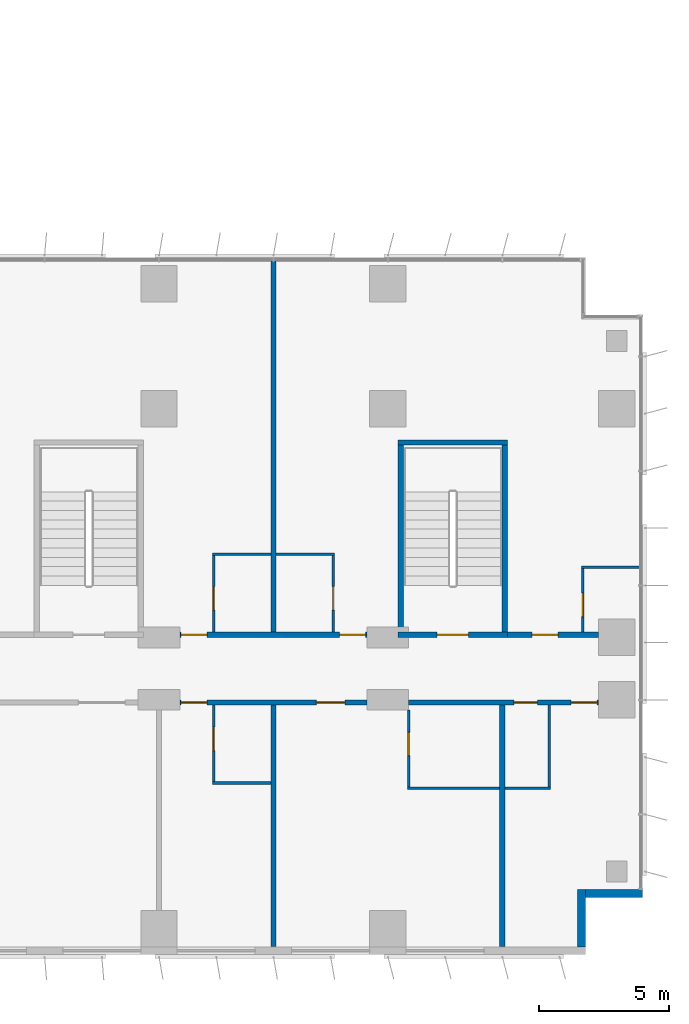
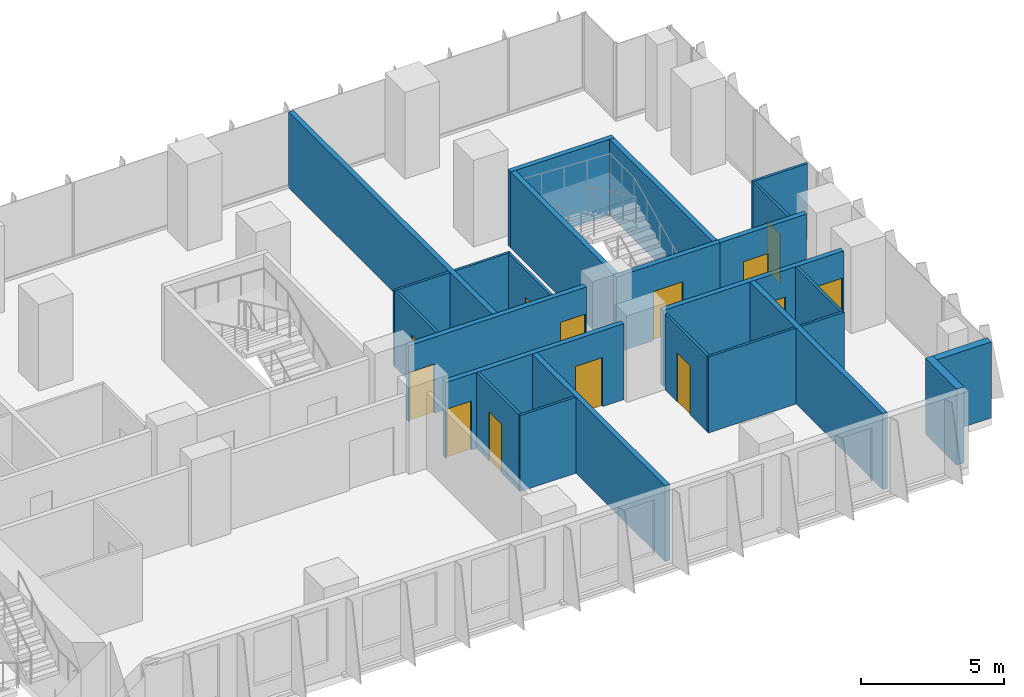
# One storey, part 17 of 23: 25 walls, 13 doors, 13 openings.
"""IFC4 building model written with IfcOpenShell, lengths in metres."""

from ifc_helpers import new_model, si_unit, direction, frame, frame_2d, origin, place, context, subcontext, project, spatial, rectangle, extrude, material, layer, layer_set, type_object, element, fill, save


model = new_model("IFC4")

# Units and contexts
model_context = context("Model", 3, precision=1e-05, world=origin(), true_north=direction((0.0, 1.0)))
body_context = subcontext(model_context, "Body", "Model", "MODEL_VIEW")
ifc_project = project(units=[si_unit("LENGTHUNIT", "METRE"), si_unit("AREAUNIT", "SQUARE_METRE"), si_unit("VOLUMEUNIT", "CUBIC_METRE"), si_unit("PLANEANGLEUNIT", "RADIAN"), si_unit("MASSUNIT", "GRAM", prefix="KILO")], contexts=[model_context])

# Site, building, storey
site_placement = place(None, origin())
site = spatial("IfcSite", under=ifc_project, at=site_placement, CompositionType="ELEMENT")
building_placement = place(site_placement, origin())
building = spatial("IfcBuilding", under=site, at=building_placement, Name="Kemantara Hotel Tower", CompositionType="ELEMENT")
storey_placement = place(building_placement, frame((0.0, 0.0, 67.300048828125)))
storey = spatial("IfcBuildingStorey", under=building, at=storey_placement, Name="L15", CompositionType="ELEMENT", Elevation=67.300048828125)

# Walls
ifc_material_1 = material(Name="Bronze anodised aluminium cladding on insulated steel stud wall", Category="steel")
ifc_layer_1 = layer(ifc_material_1, 0.300048828125)
ifc_layer_set_1 = layer_set([ifc_layer_1], Name="Bronze anodised aluminium cladding on insulated steel stud wall")
wall_type_1 = type_object("IfcWallType", Name="BRONZE METAL-CLAD EXTERNAL WALL 300", PredefinedType="STANDARD", material=ifc_layer_set_1)
for number, where, z_axis, x_axis, name in (
    (1, (78.85009765625, 0.300048828125, 0.0), (0.0, 0.0, 1.0), (0.0, 1.0, 0.0), "EXTERNAL WALL L15 T1-R02"),
    (2, (79.0, 2.35009765625, 0.0), (0.0, 0.0, 1.0), (1.0, 0.0, 0.0), "EXTERNAL WALL L15 T1-R03"),
):
    element("IfcWall", number, at=place(storey_placement, frame(where, z_axis=z_axis, x_axis=x_axis)), inside=storey, type_object=wall_type_1, Name=name, PredefinedType="STANDARD", context=body_context, shape_type="SweptSolid", body=[
        extrude(rectangle(XDim=2.199951171875, YDim=0.300048828125, at=frame_2d((1.10009765625, 0.0))), origin(), (0.0, 0.0, 1.0), 3.25),
    ])

# Wall, openings, doors
ifc_material_2 = material(Name="Gypsum board partition, steel studs and mineral wool, 200 mm", Category="steel")
ifc_layer_2 = layer(ifc_material_2, 0.199951171875)
ifc_layer_set_2 = layer_set([ifc_layer_2], Name="Gypsum board partition, steel studs and mineral wool, 200 mm")
wall_type_2 = type_object("IfcWallType", Name="CORRIDOR WALL 200", PredefinedType="PARTITIONING", material=ifc_layer_set_2)
wall_1_placement = place(storey_placement, frame((70.599853515625, 9.699951171875, 0.0), z_axis=(0.0, 0.0, 1.0), x_axis=(-1.0, 0.0, 0.0)))
wall_1 = element("IfcWall", 3, at=wall_1_placement, inside=storey, type_object=wall_type_2, Name="CORRIDOR WALL 200 003", PredefinedType="PARTITIONING", context=body_context, shape_type="SweptSolid", body=[
    extrude(rectangle(XDim=7.19970703125, YDim=0.199951171875, at=frame_2d((3.599853515625, 0.0))), origin(), (0.0, 0.0, 1.0), 3.25),
])
opening_1_placement = place(wall_1_placement, frame((6.14990234375, 0.0, 0.0)))
opening_1 = element("IfcOpeningElement", 4, at=opening_1_placement, cuts=wall_1, Name="Opening F05-003", PredefinedType="OPENING", context=body_context, shape_type="SweptSolid", body=[
    extrude(rectangle(XDim=1.0, YDim=2.10009765625, at=frame_2d((0.5, 1.050048828125))), frame((0.0, 0.10986328125, 0.0), z_axis=(0.0, -1.0, 0.0), x_axis=(1.0, 0.0, 0.0)), (0.0, 0.0, 1.0), 0.219970703125),
])
opening_2_placement = place(wall_1_placement, frame((0.849853515625, 0.0, 0.0)))
opening_2 = element("IfcOpeningElement", 5, at=opening_2_placement, cuts=wall_1, Name="Opening F05-005", PredefinedType="OPENING", context=body_context, shape_type="SweptSolid", body=[
    extrude(rectangle(XDim=1.10009765625, YDim=2.10009765625, at=frame_2d((0.550048828125, 1.050048828125))), frame((0.0, 0.10986328125, 0.0), z_axis=(0.0, -1.0, 0.0), x_axis=(1.0, 0.0, 0.0)), (0.0, 0.0, 1.0), 0.219970703125),
])
ifc_material_3 = material(Name="Hardwood veneer door leaf with steel frame", Category="steel")
door_type_1 = type_object("IfcDoorType", Name="GUEST ROOM DOOR 1000 X 2100 FD30S", OperationType="NOTDEFINED", PredefinedType="DOOR", material=ifc_material_3)
door_1_placement = place(opening_1_placement, origin())
door_1 = element("IfcDoor", 6, at=door_1_placement, inside=storey, type_object=door_type_1, Name="GUEST ROOM DOOR F05-003", OperationType="SINGLE_SWING_RIGHT", OverallHeight=2.10009765625, OverallWidth=1.0, PredefinedType="DOOR", context=body_context, shape_type="SweptSolid", body=[
    extrude(rectangle(XDim=1.0, YDim=2.10009765625, at=frame_2d((0.5, 1.050048828125))), frame((0.0, 0.02490234375, 0.0), z_axis=(0.0, -1.0, 0.0), x_axis=(1.0, 0.0, 0.0)), (0.0, 0.0, 1.0), 0.050048828125),
])
fill(opening_1, door_1)
door_type_2 = type_object("IfcDoorType", Name="SUITE ENTRANCE DOOR 1100 X 2100 FD30S", OperationType="NOTDEFINED", PredefinedType="DOOR", material=ifc_material_3)
door_2_placement = place(opening_2_placement, origin())
door_2 = element("IfcDoor", 7, at=door_2_placement, inside=storey, type_object=door_type_2, Name="SUITE ENTRANCE DOOR F05-005", OperationType="SINGLE_SWING_RIGHT", OverallHeight=2.10009765625, OverallWidth=1.10009765625, PredefinedType="DOOR", context=body_context, shape_type="SweptSolid", body=[
    extrude(rectangle(XDim=1.10009765625, YDim=2.10009765625, at=frame_2d((0.550048828125, 1.050048828125))), frame((0.0, 0.02490234375, 0.0), z_axis=(0.0, -1.0, 0.0), x_axis=(1.0, 0.0, 0.0)), (0.0, 0.0, 1.0), 0.050048828125),
])
fill(opening_2, door_2)

wall_2_placement = place(storey_placement, frame((79.5, 9.699951171875, 0.0), z_axis=(0.0, 0.0, 1.0), x_axis=(-1.0, 0.0, 0.0)))
wall_2 = element("IfcWall", 8, at=wall_2_placement, inside=storey, type_object=wall_type_2, Name="CORRIDOR WALL 200 004", PredefinedType="PARTITIONING", context=body_context, shape_type="SweptSolid", body=[
    extrude(rectangle(XDim=7.2998046875, YDim=0.199951171875, at=frame_2d((3.64990234375, 0.0))), origin(), (0.0, 0.0, 1.0), 3.25),
])
opening_3_placement = place(wall_2_placement, frame((0.0498046875, 0.0, 0.0)))
opening_3 = element("IfcOpeningElement", 9, at=opening_3_placement, cuts=wall_2, Name="Opening F05-007", PredefinedType="OPENING", context=body_context, shape_type="SweptSolid", body=[
    extrude(rectangle(XDim=1.0, YDim=2.10009765625, at=frame_2d((0.5, 1.050048828125))), frame((0.0, 0.10986328125, 0.0), z_axis=(0.0, -1.0, 0.0), x_axis=(1.0, 0.0, 0.0)), (0.0, 0.0, 1.0), 0.219970703125),
])
opening_4_placement = place(wall_2_placement, frame((2.349853515625, 0.0, 0.0)))
opening_4 = element("IfcOpeningElement", 10, at=opening_4_placement, cuts=wall_2, Name="Opening F05-008", PredefinedType="OPENING", context=body_context, shape_type="SweptSolid", body=[
    extrude(rectangle(XDim=0.89990234375, YDim=2.10009765625, at=frame_2d((0.449951171875, 1.050048828125))), frame((0.0, 0.10986328125, 0.0), z_axis=(0.0, -1.0, 0.0), x_axis=(1.0, 0.0, 0.0)), (0.0, 0.0, 1.0), 0.219970703125),
])
door_type_3 = type_object("IfcDoorType", Name="AMENITY ROOM DOOR 1000 X 2100 FD30S", OperationType="NOTDEFINED", PredefinedType="DOOR", material=ifc_material_3)
door_3_placement = place(opening_3_placement, origin())
door_3 = element("IfcDoor", 11, at=door_3_placement, inside=storey, type_object=door_type_3, Name="AMENITY ROOM DOOR F05-007", OperationType="SINGLE_SWING_LEFT", OverallHeight=2.10009765625, OverallWidth=1.0, PredefinedType="DOOR", context=body_context, shape_type="SweptSolid", body=[
    extrude(rectangle(XDim=1.0, YDim=2.10009765625, at=frame_2d((0.5, 1.050048828125))), frame((0.0, 0.02490234375, 0.0), z_axis=(0.0, -1.0, 0.0), x_axis=(1.0, 0.0, 0.0)), (0.0, 0.0, 1.0), 0.050048828125),
])
fill(opening_3, door_3)
door_type_4 = type_object("IfcDoorType", Name="GUEST ROOM DOOR 900 X 2100 FD30S", OperationType="NOTDEFINED", PredefinedType="DOOR", material=ifc_material_3)
door_4_placement = place(opening_4_placement, origin())
door_4 = element("IfcDoor", 12, at=door_4_placement, inside=storey, type_object=door_type_4, Name="GUEST ROOM DOOR F05-008", OperationType="SINGLE_SWING_RIGHT", OverallHeight=2.10009765625, OverallWidth=0.89990234375, PredefinedType="DOOR", context=body_context, shape_type="SweptSolid", body=[
    extrude(rectangle(XDim=0.89990234375, YDim=2.10009765625, at=frame_2d((0.449951171875, 1.050048828125))), frame((0.0, 0.02490234375, 0.0), z_axis=(0.0, -1.0, 0.0), x_axis=(1.0, 0.0, 0.0)), (0.0, 0.0, 1.0), 0.050048828125),
])
fill(opening_4, door_4)

wall_3_placement = place(storey_placement, frame((63.400146484375, 12.300048828125, 0.0), z_axis=(0.0, 0.0, 1.0), x_axis=(1.0, 0.0, 0.0)))
wall_3 = element("IfcWall", 13, at=wall_3_placement, inside=storey, type_object=wall_type_2, Name="CORRIDOR WALL 200 014", PredefinedType="PARTITIONING", context=body_context, shape_type="SweptSolid", body=[
    extrude(rectangle(XDim=7.19970703125, YDim=0.199951171875, at=frame_2d((3.599853515625, 0.0))), origin(), (0.0, 0.0, 1.0), 3.25),
])
opening_5_placement = place(wall_3_placement, frame((0.0498046875, 0.0, 0.0)))
opening_5 = element("IfcOpeningElement", 14, at=opening_5_placement, cuts=wall_3, Name="Opening F05-021", PredefinedType="OPENING", context=body_context, shape_type="SweptSolid", body=[
    extrude(rectangle(XDim=1.0, YDim=2.10009765625, at=frame_2d((0.5, 1.050048828125))), frame((0.0, 0.10986328125, 0.0), z_axis=(0.0, -1.0, 0.0), x_axis=(1.0, 0.0, 0.0)), (0.0, 0.0, 1.0), 0.219970703125),
])
opening_6_placement = place(wall_3_placement, frame((6.14990234375, 0.0, 0.0)))
opening_6 = element("IfcOpeningElement", 15, at=opening_6_placement, cuts=wall_3, Name="Opening F05-023", PredefinedType="OPENING", context=body_context, shape_type="SweptSolid", body=[
    extrude(rectangle(XDim=1.0, YDim=2.10009765625, at=frame_2d((0.5, 1.050048828125))), frame((0.0, 0.10986328125, 0.0), z_axis=(0.0, -1.0, 0.0), x_axis=(1.0, 0.0, 0.0)), (0.0, 0.0, 1.0), 0.219970703125),
])
door_5_placement = place(opening_5_placement, origin())
door_5 = element("IfcDoor", 16, at=door_5_placement, inside=storey, type_object=door_type_1, Name="GUEST ROOM DOOR F05-021", OperationType="SINGLE_SWING_LEFT", OverallHeight=2.10009765625, OverallWidth=1.0, PredefinedType="DOOR", context=body_context, shape_type="SweptSolid", body=[
    extrude(rectangle(XDim=1.0, YDim=2.10009765625, at=frame_2d((0.5, 1.050048828125))), frame((0.0, 0.02490234375, 0.0), z_axis=(0.0, -1.0, 0.0), x_axis=(1.0, 0.0, 0.0)), (0.0, 0.0, 1.0), 0.050048828125),
])
fill(opening_5, door_5)
door_6_placement = place(opening_6_placement, origin())
door_6 = element("IfcDoor", 17, at=door_6_placement, inside=storey, type_object=door_type_1, Name="GUEST ROOM DOOR F05-023", OperationType="SINGLE_SWING_RIGHT", OverallHeight=2.10009765625, OverallWidth=1.0, PredefinedType="DOOR", context=body_context, shape_type="SweptSolid", body=[
    extrude(rectangle(XDim=1.0, YDim=2.10009765625, at=frame_2d((0.5, 1.050048828125))), frame((0.0, 0.02490234375, 0.0), z_axis=(0.0, -1.0, 0.0), x_axis=(1.0, 0.0, 0.0)), (0.0, 0.0, 1.0), 0.050048828125),
])
fill(opening_6, door_6)

# Wall, opening, door
wall_4_placement = place(storey_placement, frame((76.0, 12.300048828125, 0.0), z_axis=(0.0, 0.0, 1.0), x_axis=(1.0, 0.0, 0.0)))
wall_4 = element("IfcWall", 18, at=wall_4_placement, inside=storey, type_object=wall_type_2, Name="CORRIDOR WALL 200 015", PredefinedType="PARTITIONING", context=body_context, shape_type="SweptSolid", body=[
    extrude(rectangle(XDim=3.5, YDim=0.199951171875, at=frame_2d((1.75, 0.0))), origin(), (0.0, 0.0, 1.0), 3.25),
])
opening_7_placement = place(wall_4_placement, frame((0.949951171875, 0.0, 0.0)))
opening_7 = element("IfcOpeningElement", 19, at=opening_7_placement, cuts=wall_4, Name="Opening F05-025", PredefinedType="OPENING", context=body_context, shape_type="SweptSolid", body=[
    extrude(rectangle(XDim=1.0, YDim=2.10009765625, at=frame_2d((0.5, 1.050048828125))), frame((0.0, 0.10986328125, 0.0), z_axis=(0.0, -1.0, 0.0), x_axis=(1.0, 0.0, 0.0)), (0.0, 0.0, 1.0), 0.219970703125),
])
door_7_placement = place(opening_7_placement, origin())
door_7 = element("IfcDoor", 20, at=door_7_placement, inside=storey, type_object=door_type_1, Name="GUEST ROOM DOOR F05-025", OperationType="SINGLE_SWING_LEFT", OverallHeight=2.10009765625, OverallWidth=1.0, PredefinedType="DOOR", context=body_context, shape_type="SweptSolid", body=[
    extrude(rectangle(XDim=1.0, YDim=2.10009765625, at=frame_2d((0.5, 1.050048828125))), frame((0.0, 0.02490234375, 0.0), z_axis=(0.0, -1.0, 0.0), x_axis=(1.0, 0.0, 0.0)), (0.0, 0.0, 1.0), 0.050048828125),
])
fill(opening_7, door_7)

ifc_material_4 = material(Name="Concrete fc 40 MPa", Category="concrete")
ifc_layer_3 = layer(ifc_material_4, 0.199951171875)
ifc_layer_set_3 = layer_set([ifc_layer_3], Name="Concrete fc 40 MPa")
wall_type_3 = type_object("IfcWallType", Name="Concrete stair wall 200 mm", PredefinedType="SHEAR", material=ifc_layer_set_3)
wall_5_placement = place(storey_placement, frame((71.800048828125, 12.300048828125, 0.0), z_axis=(0.0, 0.0, 1.0), x_axis=(1.0, 0.0, 0.0)))
wall_5 = element("IfcWall", 21, at=wall_5_placement, inside=storey, type_object=wall_type_3, Name="Stair ST5 enclosure wall with door", PredefinedType="SHEAR", context=body_context, shape_type="SweptSolid", body=[
    extrude(rectangle(XDim=4.199951171875, YDim=0.199951171875, at=frame_2d((2.10009765625, 0.0))), origin(), (0.0, 0.0, 1.0), 3.25),
])
opening_8_placement = place(wall_5_placement, frame((1.5, 0.0, 0.0)))
opening_8 = element("IfcOpeningElement", 22, at=opening_8_placement, cuts=wall_5, Name="Opening ST5-C", PredefinedType="OPENING", context=body_context, shape_type="SweptSolid", body=[
    extrude(rectangle(XDim=1.199951171875, YDim=2.10009765625, at=frame_2d((0.60009765625, 1.050048828125))), frame((0.0, 0.10986328125, 0.0), z_axis=(0.0, -1.0, 0.0), x_axis=(1.0, 0.0, 0.0)), (0.0, 0.0, 1.0), 0.219970703125),
])
ifc_material_5 = material(Name="Steel fire door", Category="steel")
door_type_5 = type_object("IfcDoorType", Name="Fire door FD90 1200 x 2100", OperationType="NOTDEFINED", PredefinedType="DOOR", material=ifc_material_5)
door_8_placement = place(opening_8_placement, origin())
door_8 = element("IfcDoor", 23, at=door_8_placement, inside=storey, type_object=door_type_5, Name="Stair ST5 door", OperationType="SINGLE_SWING_RIGHT", OverallHeight=2.10009765625, OverallWidth=1.199951171875, PredefinedType="DOOR", context=body_context, shape_type="SweptSolid", body=[
    extrude(rectangle(XDim=1.199951171875, YDim=2.10009765625, at=frame_2d((0.60009765625, 1.050048828125))), frame((0.0, 0.02490234375, 0.0), z_axis=(0.0, -1.0, 0.0), x_axis=(1.0, 0.0, 0.0)), (0.0, 0.0, 1.0), 0.050048828125),
])
fill(opening_8, door_8)

# Walls
wall_6_placement = place(storey_placement, frame((71.800048828125, 19.699951171875, 0.0), z_axis=(0.0, 0.0, 1.0), x_axis=(1.0, 0.0, 0.0)))
element("IfcWall", 24, at=wall_6_placement, inside=storey, type_object=wall_type_3, Name="Stair ST5 enclosure wall N", PredefinedType="SHEAR", context=body_context, shape_type="SweptSolid", body=[
    extrude(rectangle(XDim=4.199951171875, YDim=0.199951171875, at=frame_2d((2.10009765625, 0.0))), origin(), (0.0, 0.0, 1.0), 3.25),
])
for number, where, z_axis, x_axis, name in (
    (25, (71.89990234375, 12.39990234375, 0.0), (0.0, 0.0, 1.0), (0.0, 1.0, 0.0), "Stair ST5 enclosure wall W"),
    (26, (75.89990234375, 12.39990234375, 0.0), (0.0, 0.0, 1.0), (0.0, 1.0, 0.0), "Stair ST5 enclosure wall E"),
):
    element("IfcWall", number, at=place(storey_placement, frame(where, z_axis=z_axis, x_axis=x_axis)), inside=storey, type_object=wall_type_3, Name=name, PredefinedType="SHEAR", context=body_context, shape_type="SweptSolid", body=[
        extrude(rectangle(XDim=7.2001953125, YDim=0.199951171875, at=frame_2d((3.60009765625, 0.0))), origin(), (0.0, 0.0, 1.0), 3.25),
    ])
ifc_layer_4 = layer(ifc_material_2, 0.199951171875)
ifc_layer_set_4 = layer_set([ifc_layer_4], Name="Gypsum board partition, steel studs and mineral wool, 200 mm")
wall_type_4 = type_object("IfcWallType", Name="GUEST ROOM PARTY WALL 200", PredefinedType="PARTITIONING", material=ifc_layer_set_4)
wall_7_placement = place(storey_placement, frame((67.0, 0.31005859375, 0.0), z_axis=(0.0, 0.0, 1.0), x_axis=(0.0, 1.0, 0.0)))
element("IfcWall", 27, at=wall_7_placement, inside=storey, type_object=wall_type_4, Name="GUEST ROOM PARTY WALL 200 006", PredefinedType="PARTITIONING", context=body_context, shape_type="SweptSolid", body=[
    extrude(rectangle(XDim=9.2900390625, YDim=0.199951171875, at=frame_2d((4.64501953125, 0.0))), origin(), (0.0, 0.0, 1.0), 3.25),
])
wall_8_placement = place(storey_placement, frame((67.0, 12.39990234375, 0.0), z_axis=(0.0, 0.0, 1.0), x_axis=(0.0, 1.0, 0.0)))
element("IfcWall", 28, at=wall_8_placement, inside=storey, type_object=wall_type_4, Name="GUEST ROOM PARTY WALL 200 007", PredefinedType="PARTITIONING", context=body_context, shape_type="SweptSolid", body=[
    extrude(rectangle(XDim=14.27001953125, YDim=0.199951171875, at=frame_2d((7.135009765625, 0.0))), origin(), (0.0, 0.0, 1.0), 3.25),
])
wall_9_placement = place(storey_placement, frame((75.800048828125, 0.31005859375, 0.0), z_axis=(0.0, 0.0, 1.0), x_axis=(0.0, 1.0, 0.0)))
element("IfcWall", 29, at=wall_9_placement, inside=storey, type_object=wall_type_4, Name="GUEST ROOM PARTY WALL 200 008", PredefinedType="PARTITIONING", context=body_context, shape_type="SweptSolid", body=[
    extrude(rectangle(XDim=9.2900390625, YDim=0.199951171875, at=frame_2d((4.64501953125, 0.0))), origin(), (0.0, 0.0, 1.0), 3.25),
])
ifc_material_6 = material(Name="Gypsum board partition on steel studs, 100 mm", Category="steel")
ifc_layer_5 = layer(ifc_material_6, 0.10009765625)
ifc_layer_set_5 = layer_set([ifc_layer_5], Name="Gypsum board partition on steel studs, 100 mm")
wall_type_5 = type_object("IfcWallType", Name="ROOM PARTITION 100", PredefinedType="PARTITIONING", material=ifc_layer_set_5)
wall_10_placement = place(storey_placement, frame((72.14990234375, 6.39990234375, 0.0), z_axis=(0.0, 0.0, 1.0), x_axis=(1.0, 0.0, 0.0)))
element("IfcWall", 30, at=wall_10_placement, inside=storey, type_object=wall_type_5, Name="ROOM PARTITION 100 066", PredefinedType="PARTITIONING", context=body_context, shape_type="SweptSolid", body=[
    extrude(rectangle(XDim=3.550048828125, YDim=0.10009765625, at=frame_2d((1.77490234375, 0.0))), origin(), (0.0, 0.0, 1.0), 3.25),
])
wall_11_placement = place(storey_placement, frame((75.89990234375, 6.39990234375, 0.0), z_axis=(0.0, 0.0, 1.0), x_axis=(1.0, 0.0, 0.0)))
element("IfcWall", 31, at=wall_11_placement, inside=storey, type_object=wall_type_5, Name="ROOM PARTITION 100 067", PredefinedType="PARTITIONING", context=body_context, shape_type="SweptSolid", body=[
    extrude(rectangle(XDim=1.75, YDim=0.10009765625, at=frame_2d((0.875, 0.0))), origin(), (0.0, 0.0, 1.0), 3.25),
])
wall_12_placement = place(storey_placement, frame((64.64990234375, 6.60009765625, 0.0), z_axis=(0.0, 0.0, 1.0), x_axis=(1.0, 0.0, 0.0)))
element("IfcWall", 32, at=wall_12_placement, inside=storey, type_object=wall_type_5, Name="ROOM PARTITION 100 069", PredefinedType="PARTITIONING", context=body_context, shape_type="SweptSolid", body=[
    extrude(rectangle(XDim=2.25, YDim=0.10009765625, at=frame_2d((1.125, 0.0))), origin(), (0.0, 0.0, 1.0), 3.25),
])

# Wall, opening, door
wall_13_placement = place(storey_placement, frame((64.699951171875, 9.60009765625, 0.0), z_axis=(0.0, 0.0, 1.0), x_axis=(0.0, -1.0, 0.0)))
wall_13 = element("IfcWall", 33, at=wall_13_placement, inside=storey, type_object=wall_type_5, Name="ROOM PARTITION 100 070", PredefinedType="PARTITIONING", context=body_context, shape_type="SweptSolid", body=[
    extrude(rectangle(XDim=2.9501953125, YDim=0.10009765625, at=frame_2d((1.47509765625, 0.0))), origin(), (0.0, 0.0, 1.0), 3.25),
])
opening_9_placement = place(wall_13_placement, frame((0.85009765625, 0.0, 0.0)))
opening_9 = element("IfcOpeningElement", 34, at=opening_9_placement, cuts=wall_13, Name="Opening F05-004", PredefinedType="OPENING", context=body_context, shape_type="SweptSolid", body=[
    extrude(rectangle(XDim=0.89990234375, YDim=2.10009765625, at=frame_2d((0.449951171875, 1.050048828125))), frame((0.0, 0.06005859375, 0.0), z_axis=(0.0, -1.0, 0.0), x_axis=(1.0, 0.0, 0.0)), (0.0, 0.0, 1.0), 0.1201171875),
])
door_type_6 = type_object("IfcDoorType", Name="BATHROOM DOOR 900 X 2100", OperationType="NOTDEFINED", PredefinedType="DOOR", material=ifc_material_3)
door_9_placement = place(opening_9_placement, origin())
door_9 = element("IfcDoor", 35, at=door_9_placement, inside=storey, type_object=door_type_6, Name="BATHROOM DOOR F05-004", OperationType="SINGLE_SWING_LEFT", OverallHeight=2.10009765625, OverallWidth=0.89990234375, PredefinedType="DOOR", context=body_context, shape_type="SweptSolid", body=[
    extrude(rectangle(XDim=0.89990234375, YDim=2.10009765625, at=frame_2d((0.449951171875, 1.050048828125))), frame((0.0, 0.02490234375, 0.0), z_axis=(0.0, -1.0, 0.0), x_axis=(1.0, 0.0, 0.0)), (0.0, 0.0, 1.0), 0.050048828125),
])
fill(opening_9, door_9)

wall_14_placement = place(storey_placement, frame((64.699951171875, 15.35009765625, 0.0), z_axis=(0.0, 0.0, 1.0), x_axis=(0.0, -1.0, 0.0)))
wall_14 = element("IfcWall", 36, at=wall_14_placement, inside=storey, type_object=wall_type_5, Name="ROOM PARTITION 100 071", PredefinedType="PARTITIONING", context=body_context, shape_type="SweptSolid", body=[
    extrude(rectangle(XDim=2.9501953125, YDim=0.10009765625, at=frame_2d((1.47509765625, 0.0))), origin(), (0.0, 0.0, 1.0), 3.25),
])
opening_10_placement = place(wall_14_placement, frame((1.199951171875, 0.0, 0.0)))
opening_10 = element("IfcOpeningElement", 37, at=opening_10_placement, cuts=wall_14, Name="Opening F05-022", PredefinedType="OPENING", context=body_context, shape_type="SweptSolid", body=[
    extrude(rectangle(XDim=0.89990234375, YDim=2.10009765625, at=frame_2d((0.449951171875, 1.050048828125))), frame((0.0, 0.06005859375, 0.0), z_axis=(0.0, -1.0, 0.0), x_axis=(1.0, 0.0, 0.0)), (0.0, 0.0, 1.0), 0.1201171875),
])
door_10_placement = place(opening_10_placement, origin())
door_10 = element("IfcDoor", 38, at=door_10_placement, inside=storey, type_object=door_type_6, Name="BATHROOM DOOR F05-022", OperationType="SINGLE_SWING_RIGHT", OverallHeight=2.10009765625, OverallWidth=0.89990234375, PredefinedType="DOOR", context=body_context, shape_type="SweptSolid", body=[
    extrude(rectangle(XDim=0.89990234375, YDim=2.10009765625, at=frame_2d((0.449951171875, 1.050048828125))), frame((0.0, 0.02490234375, 0.0), z_axis=(0.0, -1.0, 0.0), x_axis=(1.0, 0.0, 0.0)), (0.0, 0.0, 1.0), 0.050048828125),
])
fill(opening_10, door_10)

wall_15_placement = place(storey_placement, frame((72.199951171875, 9.39990234375, 0.0), z_axis=(0.0, 0.0, 1.0), x_axis=(0.0, -1.0, 0.0)))
wall_15 = element("IfcWall", 39, at=wall_15_placement, inside=storey, type_object=wall_type_5, Name="ROOM PARTITION 100 072", PredefinedType="PARTITIONING", context=body_context, shape_type="SweptSolid", body=[
    extrude(rectangle(XDim=2.949951171875, YDim=0.10009765625, at=frame_2d((1.47509765625, 0.0))), origin(), (0.0, 0.0, 1.0), 3.25),
])
opening_11_placement = place(wall_15_placement, frame((0.849853515625, 0.0, 0.0)))
opening_11 = element("IfcOpeningElement", 40, at=opening_11_placement, cuts=wall_15, Name="Opening F05-006", PredefinedType="OPENING", context=body_context, shape_type="SweptSolid", body=[
    extrude(rectangle(XDim=0.89990234375, YDim=2.10009765625, at=frame_2d((0.449951171875, 1.050048828125))), frame((0.0, 0.06005859375, 0.0), z_axis=(0.0, -1.0, 0.0), x_axis=(1.0, 0.0, 0.0)), (0.0, 0.0, 1.0), 0.1201171875),
])
door_11_placement = place(opening_11_placement, origin())
door_11 = element("IfcDoor", 41, at=door_11_placement, inside=storey, type_object=door_type_6, Name="BATHROOM DOOR F05-006", OperationType="SINGLE_SWING_LEFT", OverallHeight=2.10009765625, OverallWidth=0.89990234375, PredefinedType="DOOR", context=body_context, shape_type="SweptSolid", body=[
    extrude(rectangle(XDim=0.89990234375, YDim=2.10009765625, at=frame_2d((0.449951171875, 1.050048828125))), frame((0.0, 0.02490234375, 0.0), z_axis=(0.0, -1.0, 0.0), x_axis=(1.0, 0.0, 0.0)), (0.0, 0.0, 1.0), 0.050048828125),
])
fill(opening_11, door_11)

# Walls
wall_16_placement = place(storey_placement, frame((77.60009765625, 6.449951171875, 0.0), z_axis=(0.0, 0.0, 1.0), x_axis=(0.0, 1.0, 0.0)))
element("IfcWall", 42, at=wall_16_placement, inside=storey, type_object=wall_type_5, Name="ROOM PARTITION 100 073", PredefinedType="PARTITIONING", context=body_context, shape_type="SweptSolid", body=[
    extrude(rectangle(XDim=3.150146484375, YDim=0.10009765625, at=frame_2d((1.5751953125, 0.0))), origin(), (0.0, 0.0, 1.0), 3.25),
])
for number, where, z_axis, x_axis, name in (
    (43, (64.64990234375, 15.39990234375, 0.0), (0.0, 0.0, 1.0), (1.0, 0.0, 0.0), "ROOM PARTITION 100 081"),
    (44, (67.10009765625, 15.39990234375, 0.0), (0.0, 0.0, 1.0), (1.0, 0.0, 0.0), "ROOM PARTITION 100 082"),
):
    element("IfcWall", number, at=place(storey_placement, frame(where, z_axis=z_axis, x_axis=x_axis)), inside=storey, type_object=wall_type_5, Name=name, PredefinedType="PARTITIONING", context=body_context, shape_type="SweptSolid", body=[
        extrude(rectangle(XDim=2.25, YDim=0.10009765625, at=frame_2d((1.125, 0.0))), origin(), (0.0, 0.0, 1.0), 3.25),
    ])

# Wall, opening, door
wall_17_placement = place(storey_placement, frame((69.300048828125, 12.39990234375, 0.0), z_axis=(0.0, 0.0, 1.0), x_axis=(0.0, 1.0, 0.0)))
wall_17 = element("IfcWall", 45, at=wall_17_placement, inside=storey, type_object=wall_type_5, Name="ROOM PARTITION 100 088", PredefinedType="PARTITIONING", context=body_context, shape_type="SweptSolid", body=[
    extrude(rectangle(XDim=2.9501953125, YDim=0.10009765625, at=frame_2d((1.47509765625, 0.0))), origin(), (0.0, 0.0, 1.0), 3.25),
])
opening_12_placement = place(wall_17_placement, frame((0.85009765625, 0.0, 0.0)))
opening_12 = element("IfcOpeningElement", 46, at=opening_12_placement, cuts=wall_17, Name="Opening F05-024", PredefinedType="OPENING", context=body_context, shape_type="SweptSolid", body=[
    extrude(rectangle(XDim=0.89990234375, YDim=2.10009765625, at=frame_2d((0.449951171875, 1.050048828125))), frame((0.0, 0.06005859375, 0.0), z_axis=(0.0, -1.0, 0.0), x_axis=(1.0, 0.0, 0.0)), (0.0, 0.0, 1.0), 0.1201171875),
])
door_12_placement = place(opening_12_placement, origin())
door_12 = element("IfcDoor", 47, at=door_12_placement, inside=storey, type_object=door_type_6, Name="BATHROOM DOOR F05-024", OperationType="SINGLE_SWING_LEFT", OverallHeight=2.10009765625, OverallWidth=0.89990234375, PredefinedType="DOOR", context=body_context, shape_type="SweptSolid", body=[
    extrude(rectangle(XDim=0.89990234375, YDim=2.10009765625, at=frame_2d((0.449951171875, 1.050048828125))), frame((0.0, 0.02490234375, 0.0), z_axis=(0.0, -1.0, 0.0), x_axis=(1.0, 0.0, 0.0)), (0.0, 0.0, 1.0), 0.050048828125),
])
fill(opening_12, door_12)

# Wall
wall_18_placement = place(storey_placement, frame((78.85009765625, 14.89990234375, 0.0), z_axis=(0.0, 0.0, 1.0), x_axis=(1.0, 0.0, 0.0)))
element("IfcWall", 48, at=wall_18_placement, inside=storey, type_object=wall_type_5, Name="ROOM PARTITION 100 089", PredefinedType="PARTITIONING", context=body_context, shape_type="SweptSolid", body=[
    extrude(rectangle(XDim=2.219970703125, YDim=0.10009765625, at=frame_2d((1.10986328125, 0.0))), origin(), (0.0, 0.0, 1.0), 3.25),
])

# Wall, opening, door
wall_19_placement = place(storey_placement, frame((78.89990234375, 14.85009765625, 0.0), z_axis=(0.0, 0.0, 1.0), x_axis=(0.0, -1.0, 0.0)))
wall_19 = element("IfcWall", 49, at=wall_19_placement, inside=storey, type_object=wall_type_5, Name="ROOM PARTITION 100 090", PredefinedType="PARTITIONING", context=body_context, shape_type="SweptSolid", body=[
    extrude(rectangle(XDim=2.4501953125, YDim=0.10009765625, at=frame_2d((1.22509765625, 0.0))), origin(), (0.0, 0.0, 1.0), 3.25),
])
opening_13_placement = place(wall_19_placement, frame((0.949951171875, 0.0, 0.0)))
opening_13 = element("IfcOpeningElement", 50, at=opening_13_placement, cuts=wall_19, Name="Opening F05-026", PredefinedType="OPENING", context=body_context, shape_type="SweptSolid", body=[
    extrude(rectangle(XDim=0.89990234375, YDim=2.10009765625, at=frame_2d((0.449951171875, 1.050048828125))), frame((0.0, 0.06005859375, 0.0), z_axis=(0.0, -1.0, 0.0), x_axis=(1.0, 0.0, 0.0)), (0.0, 0.0, 1.0), 0.1201171875),
])
door_13_placement = place(opening_13_placement, origin())
door_13 = element("IfcDoor", 51, at=door_13_placement, inside=storey, type_object=door_type_6, Name="BATHROOM DOOR F05-026", OperationType="SINGLE_SWING_RIGHT", OverallHeight=2.10009765625, OverallWidth=0.89990234375, PredefinedType="DOOR", context=body_context, shape_type="SweptSolid", body=[
    extrude(rectangle(XDim=0.89990234375, YDim=2.10009765625, at=frame_2d((0.449951171875, 1.050048828125))), frame((0.0, 0.02490234375, 0.0), z_axis=(0.0, -1.0, 0.0), x_axis=(1.0, 0.0, 0.0)), (0.0, 0.0, 1.0), 0.050048828125),
])
fill(opening_13, door_13)

save(model, "model.ifc")
